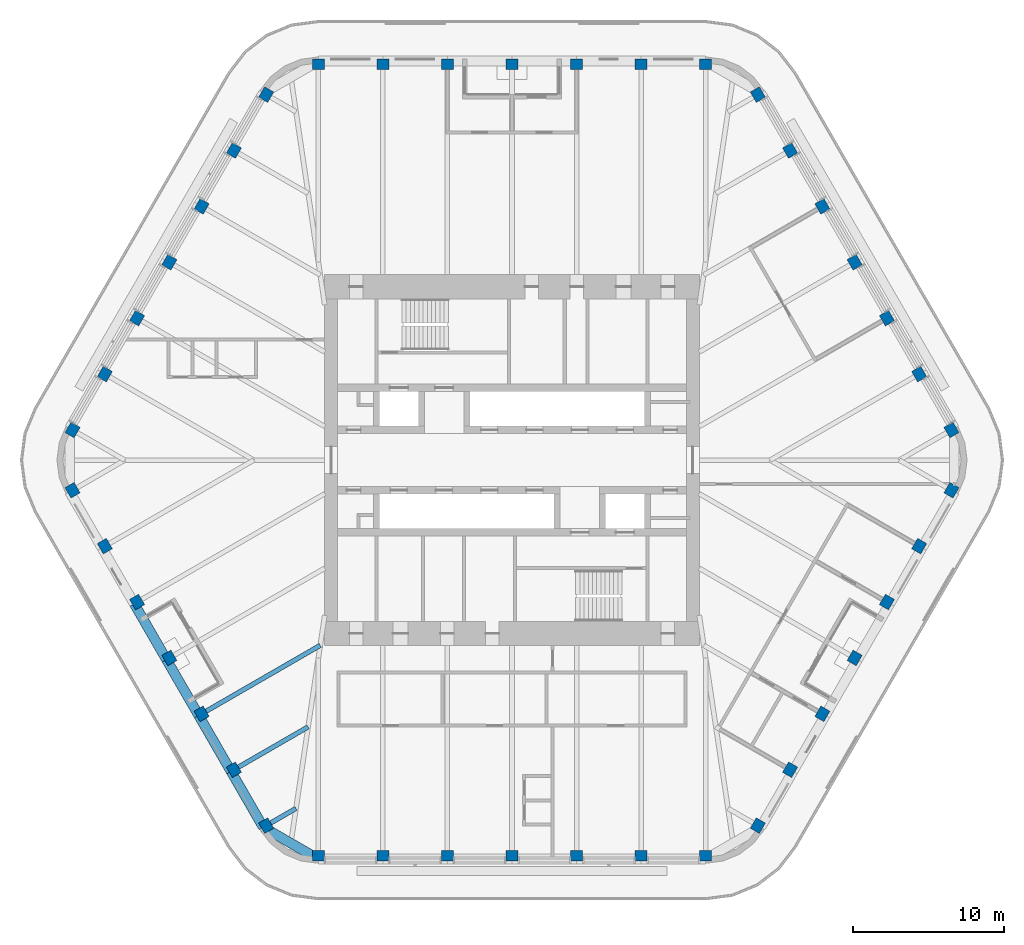
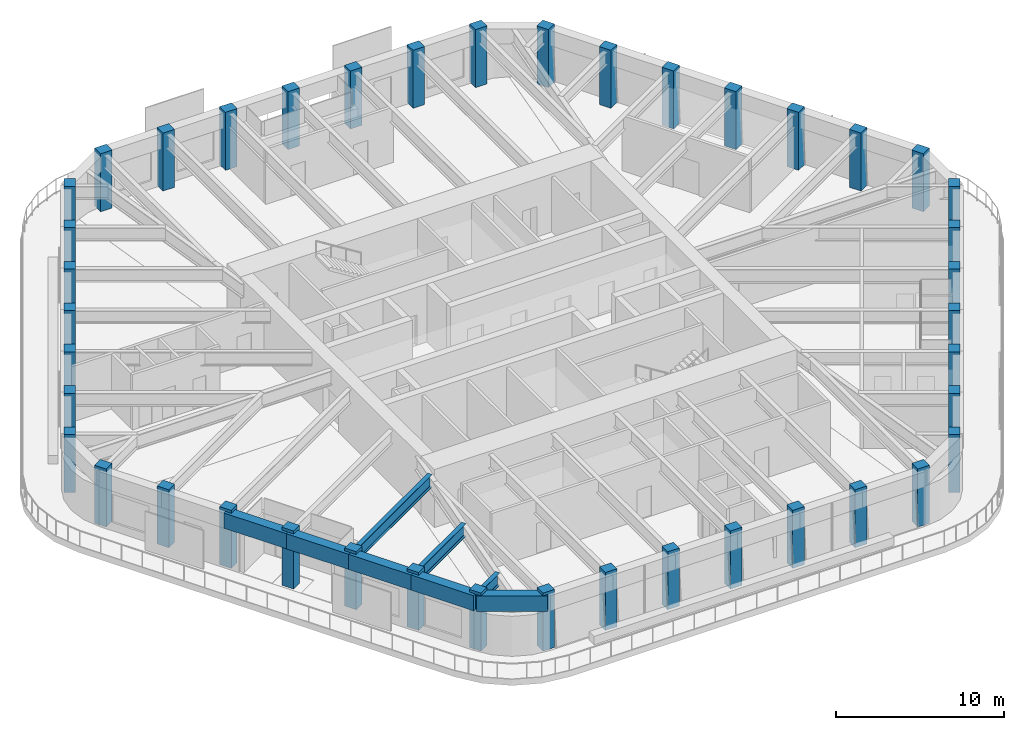
# One storey, part 1 of 20: 42 columns, 8 beams.
"""IFC4 building model written with IfcOpenShell, lengths in metres."""

from ifc_helpers import new_model, si_unit, direction, frame, origin, origin_2d, place, context, subcontext, project, spatial, rectangle, i_section, extrude, material, material_profile, profile_set, type_object, element, save


model = new_model("IFC4")

# Units and contexts
model_context = context("Model", 3, precision=1e-05, world=origin(), true_north=direction((0.0, 1.0)))
body_context = subcontext(model_context, "Body", "Model", "MODEL_VIEW")
ifc_project = project(units=[si_unit("LENGTHUNIT", "METRE"), si_unit("AREAUNIT", "SQUARE_METRE"), si_unit("VOLUMEUNIT", "CUBIC_METRE"), si_unit("PLANEANGLEUNIT", "RADIAN"), si_unit("MASSUNIT", "GRAM", prefix="KILO")], contexts=[model_context])

# Site, building, storey
site_placement = place(None, origin())
site = spatial("IfcSite", under=ifc_project, at=site_placement, CompositionType="ELEMENT")
building_placement = place(site_placement, origin())
building = spatial("IfcBuilding", under=site, at=building_placement, Name="Tarfa Lantern Tower", CompositionType="ELEMENT")
storey_placement = place(building_placement, frame((0.0, 0.0, 382.89990234375)))
storey = spatial("IfcBuildingStorey", under=building, at=storey_placement, Name="L87", CompositionType="ELEMENT", Elevation=382.89990234375)

# Columns
ifc_material_1 = material(Name="Concrete C80/95", Category="concrete")
ifc_material_profile_1 = material_profile(ifc_material_1, rectangle(XDim=0.800048828125, YDim=0.699951171875, at=origin_2d()), Name="RC 800x700")
ifc_profile_set_1 = profile_set([ifc_material_profile_1], Name="Concrete C80/95")
column_type = type_object("IfcColumnType", Name="TC16 RC 800x700", PredefinedType="COLUMN", material=ifc_profile_set_1)
for number, where, z_axis, x_axis, name in (
    (1, (29.15625, 2.0, 0.0), (0.0, 0.0, 1.0), (-0.5, 0.866025403784, 0.0), "Tube column NE0"),
    (2, (27.01513671875, 5.708251953125, 0.0), (0.0, 0.0, 1.0), (-0.5, 0.866025403784, 0.0), "Tube column NE1"),
    (3, (24.874267578125, 9.416748046875, 0.0), (0.0, 0.0, 1.0), (-0.5, 0.866025403784, 0.0), "Tube column NE2"),
    (4, (22.733154296875, 13.125, 0.0), (0.0, 0.0, 1.0), (-0.5, 0.866025403784, 0.0), "Tube column NE3"),
    (5, (20.592041015625, 16.833251953125, 0.0), (0.0, 0.0, 1.0), (-0.5, 0.866025403784, 0.0), "Tube column NE4"),
    (6, (18.451171875, 20.541748046875, 0.0), (0.0, 0.0, 1.0), (-0.5, 0.866025403784, 0.0), "Tube column NE5"),
    (7, (16.31005859375, 24.25, 0.0), (0.0, 0.0, 1.0), (-0.5, 0.866025403784, 0.0), "Tube column NE6"),
    (8, (12.845947265625, 26.25, 0.0), (0.0, 0.0, 1.0), (-1.0, 0.0, 0.0), "Tube column N0"),
    (9, (8.56396484375, 26.25, 0.0), (0.0, 0.0, 1.0), (-1.0, 0.0, 0.0), "Tube column N1"),
    (10, (4.281982421875, 26.25, 0.0), (0.0, 0.0, 1.0), (-1.0, 0.0, 0.0), "Tube column N2"),
    (11, (0.0, 26.25, 0.0), (0.0, 0.0, 1.0), (-1.0, 0.0, 0.0), "Tube column N3"),
    (12, (-4.281982421875, 26.25, 0.0), (0.0, 0.0, 1.0), (-1.0, 0.0, 0.0), "Tube column N4"),
    (13, (-8.56396484375, 26.25, 0.0), (0.0, 0.0, 1.0), (-1.0, 0.0, 0.0), "Tube column N5"),
    (14, (-12.845947265625, 26.25, 0.0), (0.0, 0.0, 1.0), (-1.0, 0.0, 0.0), "Tube column N6"),
    (15, (-16.31005859375, 24.25, 0.0), (0.0, 0.0, 1.0), (-0.5, -0.866025403784, 0.0), "Tube column NW0"),
    (16, (-18.451171875, 20.541748046875, 0.0), (0.0, 0.0, 1.0), (-0.5, -0.866025403784, 0.0), "Tube column NW1"),
    (17, (-20.592041015625, 16.833251953125, 0.0), (0.0, 0.0, 1.0), (-0.5, -0.866025403784, 0.0), "Tube column NW2"),
    (18, (-22.733154296875, 13.125, 0.0), (0.0, 0.0, 1.0), (-0.5, -0.866025403784, 0.0), "Tube column NW3"),
    (19, (-24.874267578125, 9.416748046875, 0.0), (0.0, 0.0, 1.0), (-0.5, -0.866025403784, 0.0), "Tube column NW4"),
    (20, (-27.01513671875, 5.708251953125, 0.0), (0.0, 0.0, 1.0), (-0.5, -0.866025403784, 0.0), "Tube column NW5"),
    (21, (-29.15625, 2.0, 0.0), (0.0, 0.0, 1.0), (-0.5, -0.866025403784, 0.0), "Tube column NW6"),
    (22, (-29.15625, -2.0, 0.0), (0.0, 0.0, 1.0), (0.5, -0.866025403784, 0.0), "Tube column SW0"),
    (23, (-27.01513671875, -5.708251953125, 0.0), (0.0, 0.0, 1.0), (0.5, -0.866025403784, 0.0), "Tube column SW1"),
    (24, (-24.874267578125, -9.416748046875, 0.0), (0.0, 0.0, 1.0), (0.5, -0.866025403784, 0.0), "Tube column SW2"),
    (25, (-22.733154296875, -13.125, 0.0), (0.0, 0.0, 1.0), (0.5, -0.866025403784, 0.0), "Tube column SW3"),
    (26, (-20.592041015625, -16.833251953125, 0.0), (0.0, 0.0, 1.0), (0.5, -0.866025403784, 0.0), "Tube column SW4"),
    (27, (-18.451171875, -20.541748046875, 0.0), (0.0, 0.0, 1.0), (0.5, -0.866025403784, 0.0), "Tube column SW5"),
    (28, (-16.31005859375, -24.25, 0.0), (0.0, 0.0, 1.0), (0.5, -0.866025403784, 0.0), "Tube column SW6"),
    (29, (-12.845947265625, -26.25, 0.0), (0.0, 0.0, 1.0), (1.0, 0.0, 0.0), "Tube column S0"),
    (30, (-8.56396484375, -26.25, 0.0), (0.0, 0.0, 1.0), (1.0, 0.0, 0.0), "Tube column S1"),
    (31, (-4.281982421875, -26.25, 0.0), (0.0, 0.0, 1.0), (1.0, 0.0, 0.0), "Tube column S2"),
    (32, (0.0, -26.25, 0.0), (0.0, 0.0, 1.0), (1.0, 0.0, 0.0), "Tube column S3"),
    (33, (4.281982421875, -26.25, 0.0), (0.0, 0.0, 1.0), (1.0, 0.0, 0.0), "Tube column S4"),
    (34, (8.56396484375, -26.25, 0.0), (0.0, 0.0, 1.0), (1.0, 0.0, 0.0), "Tube column S5"),
    (35, (12.845947265625, -26.25, 0.0), (0.0, 0.0, 1.0), (1.0, 0.0, 0.0), "Tube column S6"),
    (36, (16.31005859375, -24.25, 0.0), (0.0, 0.0, 1.0), (0.5, 0.866025403784, 0.0), "Tube column SE0"),
    (37, (18.451171875, -20.541748046875, 0.0), (0.0, 0.0, 1.0), (0.5, 0.866025403784, 0.0), "Tube column SE1"),
    (38, (20.592041015625, -16.833251953125, 0.0), (0.0, 0.0, 1.0), (0.5, 0.866025403784, 0.0), "Tube column SE2"),
    (39, (22.733154296875, -13.125, 0.0), (0.0, 0.0, 1.0), (0.5, 0.866025403784, 0.0), "Tube column SE3"),
    (40, (24.874267578125, -9.416748046875, 0.0), (0.0, 0.0, 1.0), (0.5, 0.866025403784, 0.0), "Tube column SE4"),
    (41, (27.01513671875, -5.708251953125, 0.0), (0.0, 0.0, 1.0), (0.5, 0.866025403784, 0.0), "Tube column SE5"),
    (42, (29.15625, -2.0, 0.0), (0.0, 0.0, 1.0), (0.5, 0.866025403784, 0.0), "Tube column SE6"),
):
    element("IfcColumn", number, at=place(storey_placement, frame(where, z_axis=z_axis, x_axis=x_axis)), inside=storey, type_object=column_type, Name=name, PredefinedType="COLUMN", context=body_context, shape_type="SweptSolid", body=[
        extrude(rectangle(XDim=0.800048828125, YDim=0.699951171875, at=origin_2d()), origin(), (0.0, 0.0, 1.0), 4.2001953125),
    ])

# Beams
ifc_material_profile_2 = material_profile(ifc_material_1, rectangle(XDim=0.64990234375, YDim=1.10009765625, at=origin_2d()), Name="RC 650x1100")
ifc_profile_set_2 = profile_set([ifc_material_profile_2], Name="Concrete C80/95")
beam_type_1 = type_object("IfcBeamType", Name="EB4 RC 650x1100", PredefinedType="SPANDREL", material=ifc_profile_set_2)
beam_1_placement = place(storey_placement, frame((-25.064697265625, -9.526611328125, 3.4501953125), z_axis=(0.500002112793, -0.866024183959, 0.0), x_axis=(0.866024183959, 0.500002112793, 0.0)))
element("IfcBeam", 43, at=beam_1_placement, inside=storey, type_object=beam_type_1, Name="Edge beam SW2", PredefinedType="SPANDREL", context=body_context, shape_type="SweptSolid", body=[
    extrude(rectangle(XDim=0.64990234375, YDim=1.10009765625, at=origin_2d()), origin(), (0.0, 0.0, 1.0), 4.2822265625),
])
for number, where, z_axis, x_axis, name in (
    (44, (-22.923583984375, -13.235107421875, 3.4501953125), (0.499984039138, -0.866034618596, 0.0), (0.866034618596, 0.499984039138, 0.0), "Edge beam SW3"),
    (45, (-20.78271484375, -16.943359375, 3.4501953125), (0.500026801138, -0.866009929587, 0.0), (0.866009929587, 0.500026801138, 0.0), "Edge beam SW4"),
    (46, (-18.6416015625, -20.651611328125, 3.4501953125), (0.499959351497, -0.866048870937, 0.0), (0.866048870937, 0.499959351497, 0.0), "Edge beam SW5"),
):
    element("IfcBeam", number, at=place(storey_placement, frame(where, z_axis=z_axis, x_axis=x_axis)), inside=storey, type_object=beam_type_1, Name=name, PredefinedType="SPANDREL", context=body_context, shape_type="SweptSolid", body=[
        extrude(rectangle(XDim=0.64990234375, YDim=1.10009765625, at=origin_2d()), origin(), (0.0, 0.0, 1.0), 4.281982421875),
    ])
beam_2_placement = place(storey_placement, frame((-16.500732421875, -24.360107421875, 3.4501953125), z_axis=(0.866048788483, -0.499959494327, 0.0), x_axis=(0.499959494327, 0.866048788483, 0.0)))
element("IfcBeam", 47, at=beam_2_placement, inside=storey, type_object=beam_type_1, Name="Edge beam SW6", PredefinedType="SPANDREL", context=body_context, shape_type="SweptSolid", body=[
    extrude(rectangle(XDim=0.64990234375, YDim=1.10009765625, at=origin_2d()), origin(), (0.0, 0.0, 1.0), 4.219970703125),
])
ifc_material_2 = material(Name="Steel S460M", Category="steel")
ifc_material_profile_3 = material_profile(ifc_material_2, i_section(OverallWidth=0.305419921875, OverallDepth=0.91845703125, WebThickness=0.017333984375, FlangeThickness=0.02783203125, FilletRadius=0.01904296875, at=origin_2d()), Name="UB914x305x253")
ifc_profile_set_3 = profile_set([ifc_material_profile_3], Name="Steel S460M")
beam_type_2 = type_object("IfcBeamType", Name="UB914x305x253", PredefinedType="BEAM", material=ifc_profile_set_3)
beam_3_placement = place(storey_placement, frame((-20.78271484375, -16.943359375, 3.541015625), z_axis=(0.866021806508, 0.500006230613, 0.0), x_axis=(-0.500006230613, 0.866021806508, 0.0)))
element("IfcBeam", 48, at=beam_3_placement, inside=storey, type_object=beam_type_2, Name="Floor beam SW4", PredefinedType="BEAM", context=body_context, shape_type="SweptSolid", body=[
    extrude(i_section(OverallWidth=0.305419921875, OverallDepth=0.91845703125, WebThickness=0.017333984375, FlangeThickness=0.02783203125, FilletRadius=0.01904296875, at=origin_2d()), origin(), (0.0, 0.0, 1.0), 9.30908203125),
])
beam_4_placement = place(storey_placement, frame((-18.6416015625, -20.651611328125, 3.541015625), z_axis=(0.866024549157, 0.500001480256, 0.0), x_axis=(-0.500001480256, 0.866024549157, 0.0)))
element("IfcBeam", 49, at=beam_4_placement, inside=storey, type_object=beam_type_2, Name="Floor beam SW5", PredefinedType="BEAM", context=body_context, shape_type="SweptSolid", body=[
    extrude(i_section(OverallWidth=0.305419921875, OverallDepth=0.91845703125, WebThickness=0.017333984375, FlangeThickness=0.02783203125, FilletRadius=0.01904296875, at=origin_2d()), origin(), (0.0, 0.0, 1.0), 5.90771484375),
])
beam_5_placement = place(storey_placement, frame((-16.500732421875, -24.360107421875, 3.541015625), z_axis=(0.865992557167, 0.500056887695, 0.0), x_axis=(-0.500056887695, 0.865992557167, 0.0)))
element("IfcBeam", 50, at=beam_5_placement, inside=storey, type_object=beam_type_2, Name="Floor beam SW6", PredefinedType="BEAM", context=body_context, shape_type="SweptSolid", body=[
    extrude(i_section(OverallWidth=0.305419921875, OverallDepth=0.91845703125, WebThickness=0.017333984375, FlangeThickness=0.02783203125, FilletRadius=0.01904296875, at=origin_2d()), origin(), (0.0, 0.0, 1.0), 2.506591796875),
])

save(model, "model.ifc")
